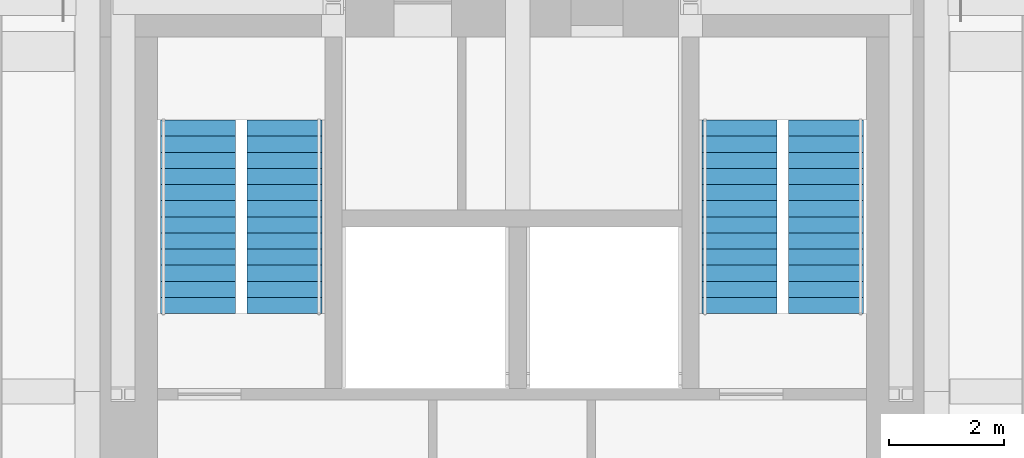
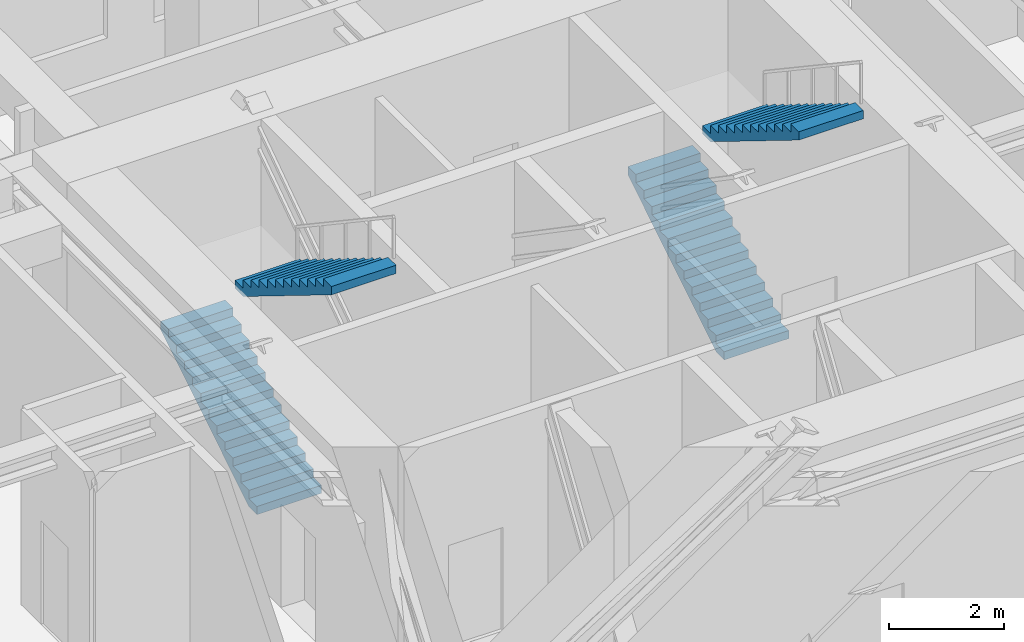
# One storey, part 5 of 6: 4 stair flights, 2 elements without a shape of their own.
"""IFC4 building model written with IfcOpenShell, lengths in metres."""

from ifc_helpers import new_model, si_unit, direction, frame, origin, place, context, subcontext, project, spatial, polyline, outline, extrude, material, type_object, element, aggregate, save


model = new_model("IFC4")

# Units and contexts
model_context = context("Model", 3, precision=1e-05, world=origin(), true_north=direction((0.0, 1.0)))
body_context = subcontext(model_context, "Body", "Model", "MODEL_VIEW")
ifc_project = project(units=[si_unit("LENGTHUNIT", "METRE"), si_unit("AREAUNIT", "SQUARE_METRE"), si_unit("VOLUMEUNIT", "CUBIC_METRE"), si_unit("PLANEANGLEUNIT", "RADIAN"), si_unit("MASSUNIT", "GRAM", prefix="KILO")], contexts=[model_context])

# Site, building, storey
site_placement = place(None, origin())
site = spatial("IfcSite", under=ifc_project, at=site_placement, CompositionType="ELEMENT")
building_placement = place(site_placement, origin())
building = spatial("IfcBuilding", under=site, at=building_placement, Name="Nyansa Garden Tower", CompositionType="ELEMENT")
storey_placement = place(building_placement, frame((0.0, 0.0, 199.800048828125)))
storey = spatial("IfcBuildingStorey", under=building, at=storey_placement, Name="L54", CompositionType="ELEMENT", Elevation=199.800048828125)

# Stair, stair flights
ifc_material_1 = material(Name="Precast concrete C40/50", Category="concrete")
stair_type_1 = type_object("IfcStairType", Name="Stair S1 173x280", PredefinedType="HALF_TURN_STAIR", material=ifc_material_1)
stair_1_placement = place(storey_placement, origin())
stair_1 = element("IfcStair", 1, at=stair_1_placement, inside=storey, type_object=stair_type_1, Name="Stair S1 L54", PredefinedType="HALF_TURN_STAIR")
ifc_material_2 = material(Name="Precast concrete C40/50", Category="concrete")
stair_flight_type_1 = type_object("IfcStairFlightType", Name="Stair flight S1 173x280x13", PredefinedType="STRAIGHT", material=ifc_material_2)
stair_flight_1_placement = place(storey_placement, frame((14.800048828125, 21.60009765625, 0.0), z_axis=(0.0, 0.0, 1.0), x_axis=(0.0, 1.0, 0.0)))
stair_flight_1 = element("IfcStairFlight", 2, at=stair_flight_1_placement, type_object=stair_flight_type_1, Name="S1 flight 1", NumberOfRisers=13, NumberOfTreads=12, PredefinedType="STRAIGHT", RiserHeight=0.173076923, TreadLength=0.28, context=body_context, shape_type="SweptSolid", body=[
    extrude(outline(polyline([(0.0, 0.0), (0.0, 0.173095703125), (0.280029296875, 0.173095703125), (0.280029296875, 0.34619140625), (0.56005859375, 0.34619140625), (0.56005859375, 0.519287109375), (0.840087890625, 0.519287109375), (0.840087890625, 0.6923828125), (1.1201171875, 0.6923828125), (1.1201171875, 0.865478515625), (1.39990234375, 0.865478515625), (1.39990234375, 1.03857421875), (1.679931640625, 1.03857421875), (1.679931640625, 1.21142578125), (1.9599609375, 1.21142578125), (1.9599609375, 1.384521484375), (2.239990234375, 1.384521484375), (2.239990234375, 1.5576171875), (2.52001953125, 1.5576171875), (2.52001953125, 1.730712890625), (2.800048828125, 1.730712890625), (2.800048828125, 1.90380859375), (3.080078125, 1.90380859375), (3.080078125, 2.076904296875), (3.360107421875, 2.076904296875), (3.360107421875, 2.25), (3.360107421875, 1.900634765625), (0.28515625, 0.0), (0.0, 0.0)])), frame((0.0, 0.64990234375, 0.0), z_axis=(0.0, -1.0, 0.0), x_axis=(1.0, 0.0, 0.0)), (0.0, 0.0, 1.0), 1.300048828125),
])
stair_flight_2_placement = place(storey_placement, frame((16.300048828125, 24.9599609375, 2.25), z_axis=(0.0, 0.0, 1.0), x_axis=(0.0, -1.0, 0.0)))
stair_flight_2 = element("IfcStairFlight", 3, at=stair_flight_2_placement, type_object=stair_flight_type_1, Name="S1 flight 2", NumberOfRisers=13, NumberOfTreads=12, PredefinedType="STRAIGHT", RiserHeight=0.173076923, TreadLength=0.28, context=body_context, shape_type="SweptSolid", body=[
    extrude(outline(polyline([(0.0, 0.0), (0.0, 0.173095703125), (0.280029296875, 0.173095703125), (0.280029296875, 0.34619140625), (0.56005859375, 0.34619140625), (0.56005859375, 0.519287109375), (0.840087890625, 0.519287109375), (0.840087890625, 0.6923828125), (1.1201171875, 0.6923828125), (1.1201171875, 0.865478515625), (1.39990234375, 0.865478515625), (1.39990234375, 1.03857421875), (1.679931640625, 1.03857421875), (1.679931640625, 1.21142578125), (1.9599609375, 1.21142578125), (1.9599609375, 1.384521484375), (2.239990234375, 1.384521484375), (2.239990234375, 1.5576171875), (2.52001953125, 1.5576171875), (2.52001953125, 1.730712890625), (2.800048828125, 1.730712890625), (2.800048828125, 1.90380859375), (3.080078125, 1.90380859375), (3.080078125, 2.076904296875), (3.360107421875, 2.076904296875), (3.360107421875, 2.25), (3.360107421875, 1.900634765625), (0.28515625, 0.0), (0.0, 0.0)])), frame((0.0, 0.64990234375, 0.0), z_axis=(0.0, -1.0, 0.0), x_axis=(1.0, 0.0, 0.0)), (0.0, 0.0, 1.0), 1.300048828125),
])
aggregate(stair_1, [stair_flight_1, stair_flight_2])

ifc_material_3 = material(Name="Precast concrete C40/50", Category="concrete")
stair_type_2 = type_object("IfcStairType", Name="Stair S2 173x280", PredefinedType="HALF_TURN_STAIR", material=ifc_material_3)
stair_2_placement = place(storey_placement, origin())
stair_2 = element("IfcStair", 4, at=stair_2_placement, inside=storey, type_object=stair_type_2, Name="Stair S2 L54", PredefinedType="HALF_TURN_STAIR")
ifc_material_4 = material(Name="Precast concrete C40/50", Category="concrete")
stair_flight_type_2 = type_object("IfcStairFlightType", Name="Stair flight S2 173x280x13", PredefinedType="STRAIGHT", material=ifc_material_4)
stair_flight_3_placement = place(storey_placement, frame((24.199951171875, 21.60009765625, 0.0), z_axis=(0.0, 0.0, 1.0), x_axis=(0.0, 1.0, 0.0)))
stair_flight_3 = element("IfcStairFlight", 5, at=stair_flight_3_placement, type_object=stair_flight_type_2, Name="S2 flight 1", NumberOfRisers=13, NumberOfTreads=12, PredefinedType="STRAIGHT", RiserHeight=0.173076923, TreadLength=0.28, context=body_context, shape_type="SweptSolid", body=[
    extrude(outline(polyline([(0.0, 0.0), (0.0, 0.173095703125), (0.280029296875, 0.173095703125), (0.280029296875, 0.34619140625), (0.56005859375, 0.34619140625), (0.56005859375, 0.519287109375), (0.840087890625, 0.519287109375), (0.840087890625, 0.6923828125), (1.1201171875, 0.6923828125), (1.1201171875, 0.865478515625), (1.39990234375, 0.865478515625), (1.39990234375, 1.03857421875), (1.679931640625, 1.03857421875), (1.679931640625, 1.21142578125), (1.9599609375, 1.21142578125), (1.9599609375, 1.384521484375), (2.239990234375, 1.384521484375), (2.239990234375, 1.5576171875), (2.52001953125, 1.5576171875), (2.52001953125, 1.730712890625), (2.800048828125, 1.730712890625), (2.800048828125, 1.90380859375), (3.080078125, 1.90380859375), (3.080078125, 2.076904296875), (3.360107421875, 2.076904296875), (3.360107421875, 2.25), (3.360107421875, 1.900634765625), (0.28515625, 0.0), (0.0, 0.0)])), frame((0.0, 0.64990234375, 0.0), z_axis=(0.0, -1.0, 0.0), x_axis=(1.0, 0.0, 0.0)), (0.0, 0.0, 1.0), 1.300048828125),
])
stair_flight_4_placement = place(storey_placement, frame((25.699951171875, 24.9599609375, 2.25), z_axis=(0.0, 0.0, 1.0), x_axis=(0.0, -1.0, 0.0)))
stair_flight_4 = element("IfcStairFlight", 6, at=stair_flight_4_placement, type_object=stair_flight_type_2, Name="S2 flight 2", NumberOfRisers=13, NumberOfTreads=12, PredefinedType="STRAIGHT", RiserHeight=0.173076923, TreadLength=0.28, context=body_context, shape_type="SweptSolid", body=[
    extrude(outline(polyline([(0.0, 0.0), (0.0, 0.173095703125), (0.280029296875, 0.173095703125), (0.280029296875, 0.34619140625), (0.56005859375, 0.34619140625), (0.56005859375, 0.519287109375), (0.840087890625, 0.519287109375), (0.840087890625, 0.6923828125), (1.1201171875, 0.6923828125), (1.1201171875, 0.865478515625), (1.39990234375, 0.865478515625), (1.39990234375, 1.03857421875), (1.679931640625, 1.03857421875), (1.679931640625, 1.21142578125), (1.9599609375, 1.21142578125), (1.9599609375, 1.384521484375), (2.239990234375, 1.384521484375), (2.239990234375, 1.5576171875), (2.52001953125, 1.5576171875), (2.52001953125, 1.730712890625), (2.800048828125, 1.730712890625), (2.800048828125, 1.90380859375), (3.080078125, 1.90380859375), (3.080078125, 2.076904296875), (3.360107421875, 2.076904296875), (3.360107421875, 2.25), (3.360107421875, 1.900634765625), (0.28515625, 0.0), (0.0, 0.0)])), frame((0.0, 0.64990234375, 0.0), z_axis=(0.0, -1.0, 0.0), x_axis=(1.0, 0.0, 0.0)), (0.0, 0.0, 1.0), 1.300048828125),
])
aggregate(stair_2, [stair_flight_3, stair_flight_4])

save(model, "model.ifc")
